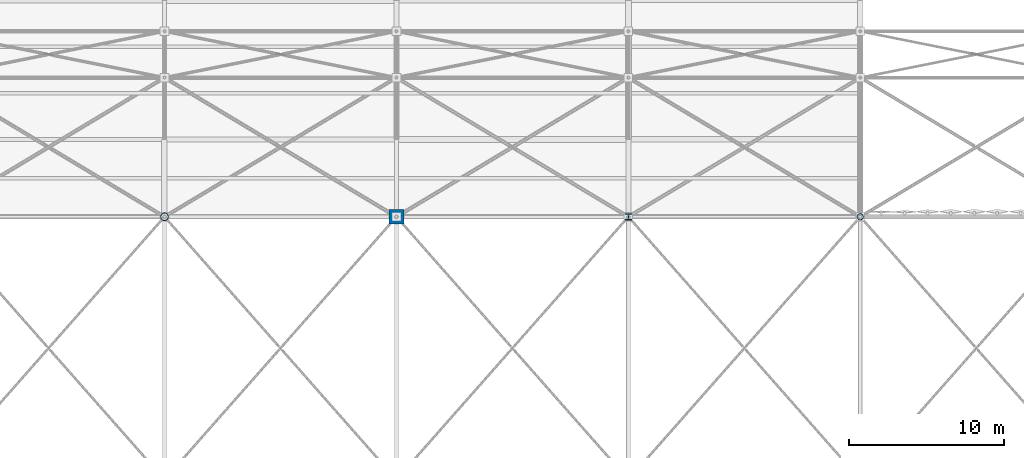
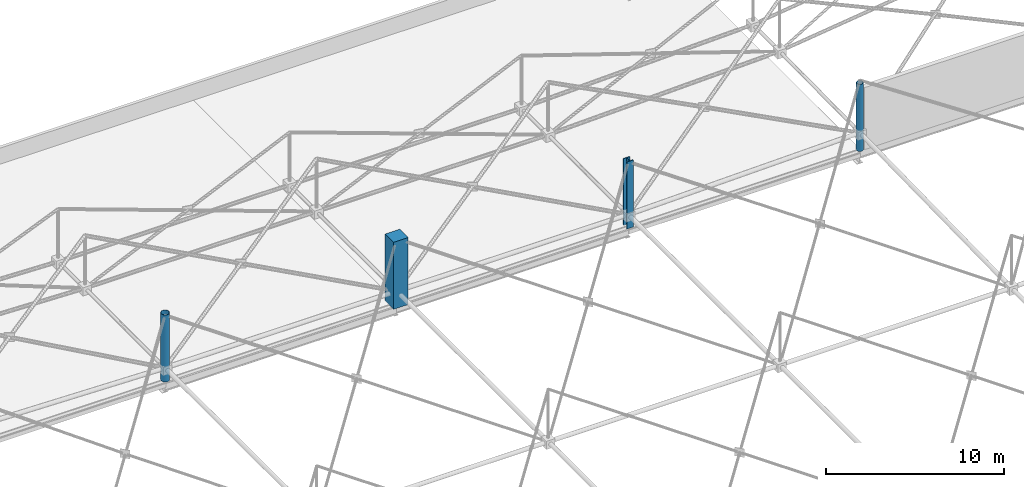
# One storey, part 6 of 224: 4 columns.
"""IFC4 building model written with IfcOpenShell, lengths in metres."""

from ifc_helpers import new_model, si_unit, direction, frame, origin, origin_2d, place, context, subcontext, project, spatial, rectangle, hollow_circle, i_section, extrude, material, material_profile, profile_set, type_object, element, save


model = new_model("IFC4")

# Units and contexts
model_context = context("Model", 3, precision=1e-05, world=origin(), true_north=direction((0.0, 1.0)))
body_context = subcontext(model_context, "Body", "Model", "MODEL_VIEW")
ifc_project = project(units=[si_unit("LENGTHUNIT", "METRE"), si_unit("AREAUNIT", "SQUARE_METRE"), si_unit("VOLUMEUNIT", "CUBIC_METRE"), si_unit("PLANEANGLEUNIT", "RADIAN"), si_unit("MASSUNIT", "GRAM", prefix="KILO")], contexts=[model_context])

# Site, building, storey
site_placement = place(None, origin())
site = spatial("IfcSite", under=ifc_project, at=site_placement, CompositionType="ELEMENT")
building_placement = place(site_placement, origin())
building = spatial("IfcBuilding", under=site, at=building_placement, Name="Qamarlyn Nura Convention Centre", CompositionType="ELEMENT")
storey_placement = place(building_placement, frame((0.0, 0.0, 10.800048828125)))
storey = spatial("IfcBuildingStorey", under=building, at=storey_placement, Name="L02", CompositionType="ELEMENT", Elevation=10.800048828125)

# Columns
ifc_material_1 = material(Name="Pearl-white PVDF steel ASTM A500 Grade C", Category="steel")
ifc_material_profile_1 = material_profile(ifc_material_1, hollow_circle(Radius=0.25390625, WallThickness=0.02001953125, at=origin_2d()), Name="CHS508X20")
ifc_profile_set_1 = profile_set([ifc_material_profile_1], Name="Pearl-white PVDF steel ASTM A500 Grade C")
column_type_1 = type_object("IfcColumnType", Name="COL-HALL-1", PredefinedType="COLUMN", material=ifc_profile_set_1)
column_1_placement = place(storey_placement, frame((45.0, 103.0, 0.0), z_axis=(0.0, 0.0, 1.0), x_axis=(1.0, 0.0, 0.0)))
element("IfcColumn", 1, at=column_1_placement, inside=storey, type_object=column_type_1, Name="L02 column 4/M", PredefinedType="COLUMN", context=body_context, shape_type="SweptSolid", body=[
    extrude(hollow_circle(Radius=0.25390625, WallThickness=0.02001953125, at=origin_2d()), origin(), (0.0, 0.0, 1.0), 4.58984375),
])
ifc_material_2 = material(Name="Concrete C50/60", Category="concrete")
ifc_material_profile_2 = material_profile(ifc_material_2, rectangle(XDim=0.949951171875, YDim=0.949951171875, at=origin_2d()), Name="RC 950x950")
ifc_profile_set_2 = profile_set([ifc_material_profile_2], Name="Concrete C50/60")
column_type_2 = type_object("IfcColumnType", Name="COL-HALL-2", PredefinedType="COLUMN", material=ifc_profile_set_2)
column_2_placement = place(storey_placement, frame((60.0, 103.0, 0.0), z_axis=(0.0, 0.0, 1.0), x_axis=(1.0, 0.0, 0.0)))
element("IfcColumn", 2, at=column_2_placement, inside=storey, type_object=column_type_2, Name="L02 column 5/M", PredefinedType="COLUMN", context=body_context, shape_type="SweptSolid", body=[
    extrude(rectangle(XDim=0.949951171875, YDim=0.949951171875, at=origin_2d()), origin(), (0.0, 0.0, 1.0), 4.58984375),
])
ifc_material_3 = material(Name="Steel ASTM A992", Category="steel")
ifc_material_profile_3 = material_profile(ifc_material_3, i_section(OverallWidth=0.408935546875, OverallDepth=0.425048828125, WebThickness=0.030517578125, FlangeThickness=0.049072265625, FilletRadius=0.02001953125, at=origin_2d()), Name="W360X421")
ifc_profile_set_3 = profile_set([ifc_material_profile_3], Name="Steel ASTM A992")
column_type_3 = type_object("IfcColumnType", Name="COL-MEGA-1", PredefinedType="COLUMN", material=ifc_profile_set_3)
column_3_placement = place(storey_placement, frame((75.0, 103.0, 0.0), z_axis=(0.0, 0.0, 1.0), x_axis=(1.0, 0.0, 0.0)))
element("IfcColumn", 3, at=column_3_placement, inside=storey, type_object=column_type_3, Name="L02 column 6/M", PredefinedType="COLUMN", context=body_context, shape_type="SweptSolid", body=[
    extrude(i_section(OverallWidth=0.408935546875, OverallDepth=0.425048828125, WebThickness=0.030517578125, FlangeThickness=0.049072265625, FilletRadius=0.02001953125, at=origin_2d()), origin(), (0.0, 0.0, 1.0), 4.58984375),
])
ifc_material_profile_4 = material_profile(ifc_material_1, hollow_circle(Radius=0.203125, WallThickness=0.01611328125, at=origin_2d()), Name="CHS406.4X16")
ifc_profile_set_4 = profile_set([ifc_material_profile_4], Name="Pearl-white PVDF steel ASTM A500 Grade C")
column_type_4 = type_object("IfcColumnType", Name="COL-TUBE-1", PredefinedType="COLUMN", material=ifc_profile_set_4)
column_4_placement = place(storey_placement, frame((90.0, 103.0, 0.0), z_axis=(0.0, 0.0, 1.0), x_axis=(1.0, 0.0, 0.0)))
element("IfcColumn", 4, at=column_4_placement, inside=storey, type_object=column_type_4, Name="L02 column 7/M", PredefinedType="COLUMN", context=body_context, shape_type="SweptSolid", body=[
    extrude(hollow_circle(Radius=0.203125, WallThickness=0.01611328125, at=origin_2d()), origin(), (0.0, 0.0, 1.0), 4.58984375),
])

save(model, "model.ifc")
